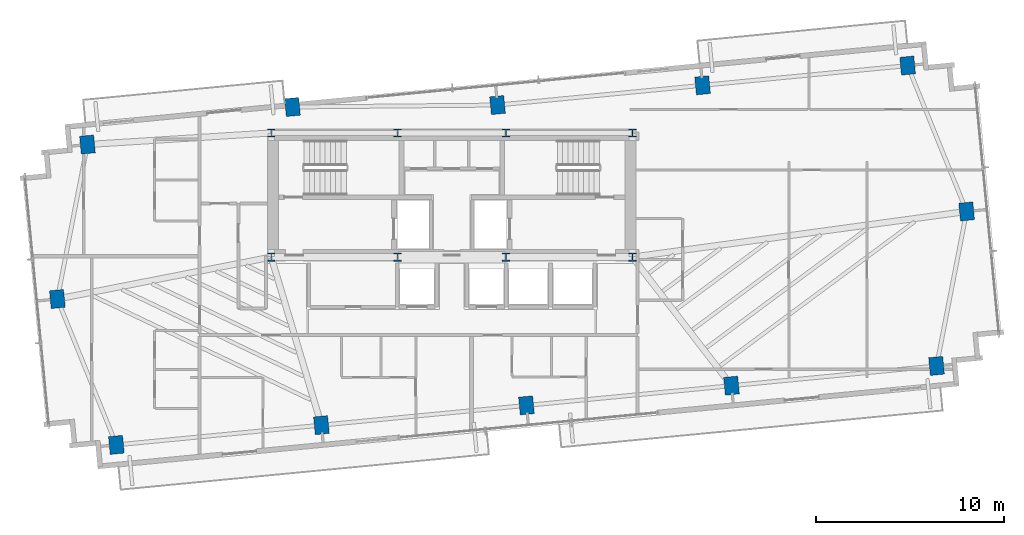
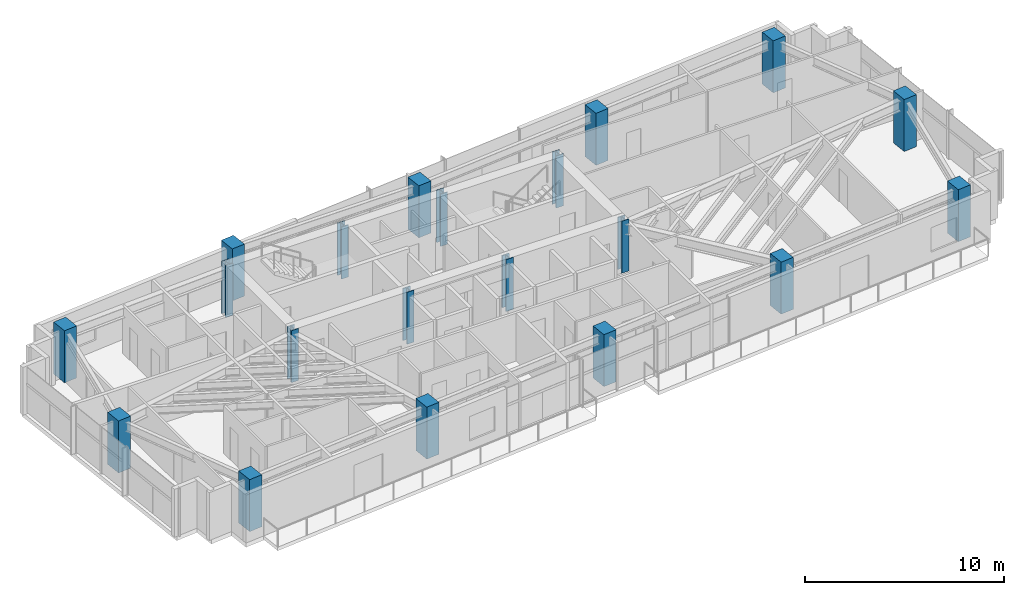
# One storey, part 1 of 18: 20 columns.
"""IFC4 building model written with IfcOpenShell, lengths in metres."""

from ifc_helpers import new_model, si_unit, direction, frame, origin, origin_2d, place, context, subcontext, project, spatial, rectangle, i_section, extrude, source, transform, mapped, material, material_profile, profile_set, type_object, type_shapes, element, save


model = new_model("IFC4")

# Units and contexts
model_context = context("Model", 3, precision=1e-05, world=origin(), true_north=direction((0.0, 1.0)))
body_context = subcontext(model_context, "Body", "Model", "MODEL_VIEW")
ifc_project = project(units=[si_unit("LENGTHUNIT", "METRE"), si_unit("AREAUNIT", "SQUARE_METRE"), si_unit("VOLUMEUNIT", "CUBIC_METRE"), si_unit("PLANEANGLEUNIT", "RADIAN"), si_unit("MASSUNIT", "GRAM", prefix="KILO")], contexts=[model_context])

# Site, building, storey
site_placement = place(None, origin())
site = spatial("IfcSite", under=ifc_project, at=site_placement, CompositionType="ELEMENT")
building_placement = place(site_placement, origin())
building = spatial("IfcBuilding", under=site, at=building_placement, Name="Astriad Promenade Condominiums", CompositionType="ELEMENT")
storey_placement = place(building_placement, frame((0.0, 0.0, 179.39990234375)))
storey = spatial("IfcBuildingStorey", under=building, at=storey_placement, Name="L51", CompositionType="ELEMENT", Elevation=179.39990234375)

# Columns
ifc_material_1 = material(Name="Steel ASTM A992 Grade 50", Category="steel")
ifc_material_profile_1 = material_profile(ifc_material_1, i_section(OverallWidth=0.41552734375, OverallDepth=0.445556640625, WebThickness=0.0390625, FlangeThickness=0.062744140625, FilletRadius=0.017822265625, at=origin_2d()), Name="W14X342")
ifc_profile_set_1 = profile_set([ifc_material_profile_1], Name="Steel ASTM A992 Grade 50")
column_type_1 = type_object("IfcColumnType", Name="STEEL CORE PILASTER W14X342", PredefinedType="PILASTER", material=ifc_profile_set_1)
shared_shape_1 = source(origin(), body_context, "Body", "SweptSolid", [
    extrude(i_section(OverallWidth=0.41552734375, OverallDepth=0.445556640625, WebThickness=0.0390625, FlangeThickness=0.062744140625, FilletRadius=0.017822265625, at=origin_2d()), origin(), (0.0, 0.0, 1.0), 3.19580078125),
])
type_shapes(column_type_1, [shared_shape_1])
for number, where, z_axis, x_axis, name in (
    (1, (26.39990234375, 17.39990234375, 0.002197265625), (0.0, 0.0, 1.0), (1.0, 0.0, 0.0), "Core Pilaster Column CP1 (L51)"),
    (2, (33.1201171875, 17.39990234375, 0.002197265625), (0.0, 0.0, 1.0), (1.0, 0.0, 0.0), "Core Pilaster Column CP2 (L51)"),
    (3, (38.8798828125, 17.39990234375, 0.002197265625), (0.0, 0.0, 1.0), (1.0, 0.0, 0.0), "Core Pilaster Column CP3 (L51)"),
    (4, (45.60009765625, 17.39990234375, 0.002197265625), (0.0, 0.0, 1.0), (1.0, 0.0, 0.0), "Core Pilaster Column CP4 (L51)"),
    (5, (26.39990234375, 24.0, 0.002197265625), (0.0, 0.0, 1.0), (1.0, 0.0, 0.0), "Core Pilaster Column CP5 (L51)"),
    (6, (33.1201171875, 24.0, 0.002197265625), (0.0, 0.0, 1.0), (1.0, 0.0, 0.0), "Core Pilaster Column CP6 (L51)"),
    (7, (38.8798828125, 24.0, 0.002197265625), (0.0, 0.0, 1.0), (1.0, 0.0, 0.0), "Core Pilaster Column CP7 (L51)"),
    (8, (45.60009765625, 24.0, 0.002197265625), (0.0, 0.0, 1.0), (1.0, 0.0, 0.0), "Core Pilaster Column CP8 (L51)"),
):
    element("IfcColumn", number, at=place(storey_placement, frame(where, z_axis=z_axis, x_axis=x_axis)), inside=storey, type_object=column_type_1, Name=name, PredefinedType="PILASTER", context=body_context, shape_type="MappedRepresentation", body=[
        mapped(shared_shape_1, transform((0.0, 0.0, 0.0), scale=1.0)),
    ])
ifc_material_2 = material(Name="Concrete C50/60", Category="concrete")
ifc_material_profile_2 = material_profile(ifc_material_2, rectangle(XDim=0.75, YDim=0.949951171875, at=origin_2d()), Name="RC-COL-950X750")
ifc_profile_set_2 = profile_set([ifc_material_profile_2], Name="Concrete C50/60")
column_type_2 = type_object("IfcColumnType", Name="CONCRETE TOWER COLUMN 950X750", PredefinedType="COLUMN", material=ifc_profile_set_2)
shared_shape_2 = source(origin(), body_context, "Body", "SweptSolid", [
    extrude(rectangle(XDim=0.75, YDim=0.949951171875, at=origin_2d()), origin(), (0.0, 0.0, 1.0), 3.19580078125),
])
type_shapes(column_type_2, [shared_shape_2])
for number, where, z_axis, x_axis, name in (
    (9, (18.16943359375, 7.41796875, 0.002197265625), (0.0, 0.0, 1.0), (0.995396198367, 0.09584575252, 0.0), "Perimeter Column PC01 (L51)"),
    (10, (29.069091796875, 8.46728515625, 0.002197265625), (0.0, 0.0, 1.0), (0.995396198367, 0.09584575252, 0.0), "Perimeter Column PC02 (L51)"),
    (11, (39.96875, 9.516845703125, 0.002197265625), (0.0, 0.0, 1.0), (0.995396198367, 0.09584575252, 0.0), "Perimeter Column PC03 (L51)"),
    (12, (50.868408203125, 10.56640625, 0.002197265625), (0.0, 0.0, 1.0), (0.995396198367, 0.09584575252, 0.0), "Perimeter Column PC04 (L51)"),
    (13, (61.767822265625, 11.615966796875, 0.002197265625), (0.0, 0.0, 1.0), (0.995396198367, 0.09584575252, 0.0), "Perimeter Column PC05 (L51)"),
    (14, (16.632080078125, 23.384033203125, 0.002197265625), (0.0, 0.0, 1.0), (0.995396198367, 0.09584575252, 0.0), "Perimeter Column PC06 (L51)"),
    (15, (27.53173828125, 25.3798828125, 0.002197265625), (0.0, 0.0, 1.0), (0.995396198367, 0.09584575252, 0.0), "Perimeter Column PC07 (L51)"),
    (16, (38.431396484375, 25.483154296875, 0.002197265625), (0.0, 0.0, 1.0), (0.995396198367, 0.09584575252, 0.0), "Perimeter Column PC08 (L51)"),
    (17, (49.330810546875, 26.53271484375, 0.002197265625), (0.0, 0.0, 1.0), (0.995396198367, 0.09584575252, 0.0), "Perimeter Column PC09 (L51)"),
    (18, (60.23046875, 27.58203125, 0.002197265625), (0.0, 0.0, 1.0), (0.995396198367, 0.09584575252, 0.0), "Perimeter Column PC10 (L51)"),
    (19, (15.03173828125, 15.1728515625, 0.002197265625), (0.0, 0.0, 1.0), (0.995396198367, 0.09584575252, 0.0), "Perimeter Column PC11 (L51)"),
    (20, (63.3681640625, 19.8271484375, 0.002197265625), (0.0, 0.0, 1.0), (0.995396198367, 0.09584575252, 0.0), "Perimeter Column PC12 (L51)"),
):
    element("IfcColumn", number, at=place(storey_placement, frame(where, z_axis=z_axis, x_axis=x_axis)), inside=storey, type_object=column_type_2, Name=name, PredefinedType="COLUMN", context=body_context, shape_type="MappedRepresentation", body=[
        mapped(shared_shape_2, transform((0.0, 0.0, 0.0), scale=1.0)),
    ])

save(model, "model.ifc")
